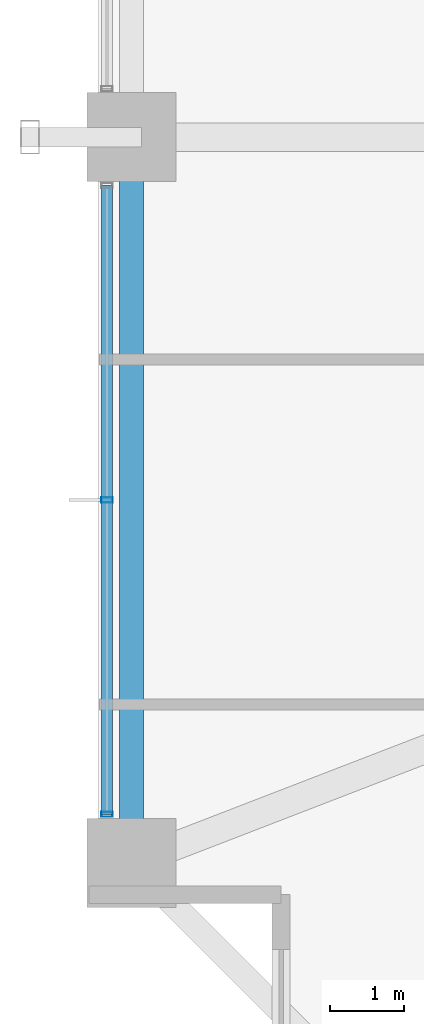
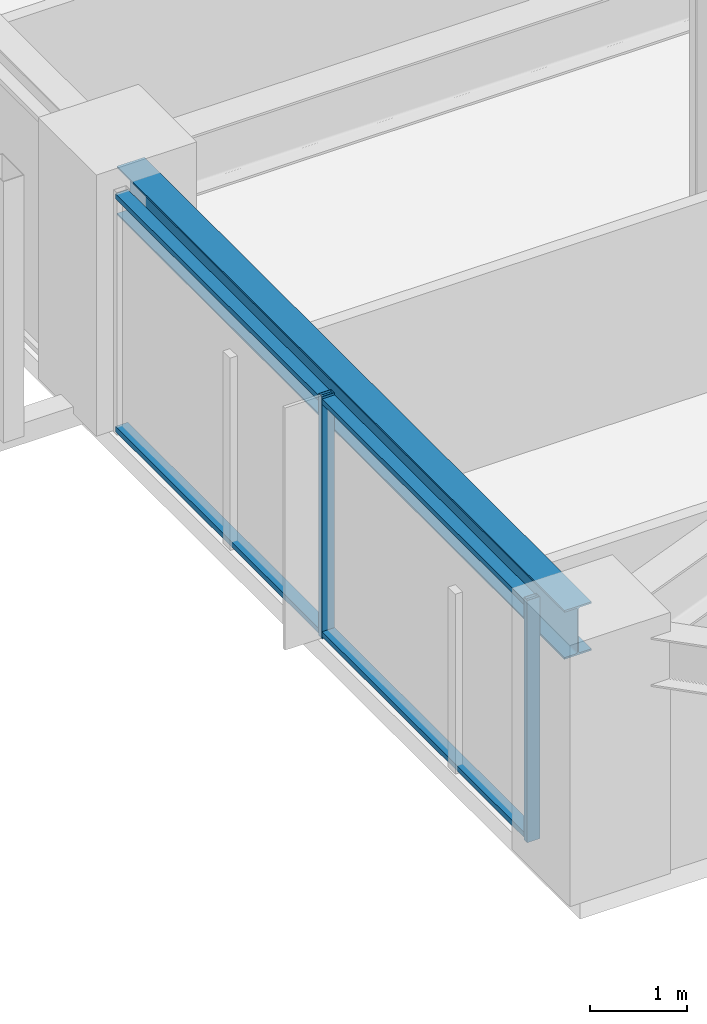
# One storey, part 3 of 38: 4 members, 1 beam, 1 element without a shape of its own.
"""IFC4 building model written with IfcOpenShell, lengths in metres."""

from ifc_helpers import new_model, si_unit, direction, frame, origin, origin_2d, place, context, subcontext, project, spatial, hollow_rectangle, i_section, extrude, material, material_profile, profile_set, type_object, element, aggregate, save


model = new_model("IFC4")

# Units and contexts
model_context = context("Model", 3, precision=1e-05, world=origin(), true_north=direction((0.0, 1.0)))
body_context = subcontext(model_context, "Body", "Model", "MODEL_VIEW")
ifc_project = project(units=[si_unit("LENGTHUNIT", "METRE"), si_unit("AREAUNIT", "SQUARE_METRE"), si_unit("VOLUMEUNIT", "CUBIC_METRE"), si_unit("PLANEANGLEUNIT", "RADIAN"), si_unit("MASSUNIT", "GRAM", prefix="KILO")], contexts=[model_context])

# Site, building, storey
site_placement = place(None, origin())
site = spatial("IfcSite", under=ifc_project, at=site_placement, CompositionType="ELEMENT")
building_placement = place(site_placement, origin())
building = spatial("IfcBuilding", under=site, at=building_placement, Name="Kolvaren Belvedere", CompositionType="ELEMENT")
storey_placement = place(building_placement, frame((0.0, 0.0, 50.199951171875)))
storey = spatial("IfcBuildingStorey", under=building, at=storey_placement, Name="L14", CompositionType="ELEMENT", Elevation=50.199951171875)

# Beam
ifc_material_1 = material(Name="Structural steel ASTM A992 Grade 50", Category="steel")
ifc_material_profile_1 = material_profile(ifc_material_1, i_section(OverallWidth=0.324951171875, OverallDepth=0.615966796875, WebThickness=0.013916015625, FlangeThickness=0.021484375, FilletRadius=0.02001953125, at=origin_2d()), Name="W24X117")
ifc_profile_set_1 = profile_set([ifc_material_profile_1], Name="Structural steel ASTM A992 Grade 50")
beam_type = type_object("IfcBeamType", Name="BM-SPAN-W24X117", PredefinedType="SPANDREL", material=ifc_profile_set_1)
beam_placement = place(storey_placement, frame((-21.550048828125, -4.8701171875, 2.751953125), z_axis=(0.0, -1.0, 0.0), x_axis=(1.0, 0.0, 0.0)))
element("IfcBeam", 1, at=beam_placement, inside=storey, type_object=beam_type, Name="L14 Perimeter Spandrel W2-W1", PredefinedType="SPANDREL", context=body_context, shape_type="SweptSolid", body=[
    extrude(i_section(OverallWidth=0.324951171875, OverallDepth=0.615966796875, WebThickness=0.013916015625, FlangeThickness=0.021484375, FilletRadius=0.02001953125, at=origin_2d()), origin(), (0.0, 0.0, 1.0), 9.259765625),
])

# Curtain wall, members
ifc_material_2 = material(Name="Anodised pale-metal aluminium AA 6063-T6", Category="aluminium")
curtain_wall_type = type_object("IfcCurtainWallType", Name="CW-Z1-LOW", PredefinedType="NOTDEFINED", material=ifc_material_2)
curtain_wall_placement = place(storey_placement, origin())
curtain_wall = element("IfcCurtainWall", 2, at=curtain_wall_placement, inside=storey, type_object=curtain_wall_type, Name="L14 Unitised Curtain Wall FCW-L14-W-B1", PredefinedType="NOTDEFINED")
ifc_material_3 = material(Name="Anodised pale-metal aluminium AA 6063-T6", Category="aluminium")
ifc_material_profile_2 = material_profile(ifc_material_3, hollow_rectangle(XDim=0.070068359375, YDim=0.14990234375, WallThickness=0.004150390625, at=origin_2d()), Name="ALU-MUL-150X70")
ifc_profile_set_2 = profile_set([ifc_material_profile_2], Name="Anodised pale-metal aluminium AA 6063-T6")
member_type_1 = type_object("IfcMemberType", Name="CW-MUL-150", PredefinedType="MULLION", material=ifc_profile_set_2)
member_1_placement = place(storey_placement, frame((-21.8798828125, -13.7451171875, 0.0), z_axis=(0.0, 0.0, 1.0), x_axis=(0.0, 1.0, 0.0)))
member_1 = element("IfcMember", 3, at=member_1_placement, type_object=member_type_1, Name="FCW-L14-W-B1 Unitised Mullion 1", PredefinedType="MULLION", context=body_context, shape_type="SweptSolid", body=[
    extrude(hollow_rectangle(XDim=0.070068359375, YDim=0.14990234375, WallThickness=0.004150390625, at=origin_2d()), origin(), (0.0, 0.0, 1.0), 3.06005859375),
])
member_2_placement = place(storey_placement, frame((-21.8798828125, -9.5, 0.0), z_axis=(0.0, 0.0, 1.0), x_axis=(0.0, 1.0, 0.0)))
member_2 = element("IfcMember", 4, at=member_2_placement, type_object=member_type_1, Name="FCW-L14-W-B1 Unitised Mullion 2", PredefinedType="MULLION", context=body_context, shape_type="SweptSolid", body=[
    extrude(hollow_rectangle(XDim=0.070068359375, YDim=0.14990234375, WallThickness=0.004150390625, at=origin_2d()), origin(), (0.0, 0.0, 1.0), 3.06005859375),
])
ifc_material_4 = material(Name="Anodised pale-metal aluminium AA 6063-T6", Category="aluminium")
ifc_material_profile_3 = material_profile(ifc_material_4, hollow_rectangle(XDim=0.06494140625, YDim=0.14990234375, WallThickness=0.00390625, at=origin_2d()), Name="ALU-TRN-150X65")
ifc_profile_set_3 = profile_set([ifc_material_profile_3], Name="Anodised pale-metal aluminium AA 6063-T6")
member_type_2 = type_object("IfcMemberType", Name="CW-TRN-150", PredefinedType="USERDEFINED", material=ifc_profile_set_3)
member_3_placement = place(storey_placement, frame((-21.8798828125, -13.7451171875, 0.06005859375), z_axis=(0.0, 1.0, 0.0), x_axis=(0.0, 0.0, 1.0)))
member_3 = element("IfcMember", 5, at=member_3_placement, type_object=member_type_2, Name="FCW-L14-W-B1 Sill Transom", ObjectType="TRANSOM", PredefinedType="USERDEFINED", context=body_context, shape_type="SweptSolid", body=[
    extrude(hollow_rectangle(XDim=0.06494140625, YDim=0.14990234375, WallThickness=0.00390625, at=origin_2d()), origin(), (0.0, 0.0, 1.0), 8.490234375),
])
member_4_placement = place(storey_placement, frame((-21.8798828125, -13.7451171875, 3.0), z_axis=(0.0, 1.0, 0.0), x_axis=(0.0, 0.0, 1.0)))
member_4 = element("IfcMember", 6, at=member_4_placement, type_object=member_type_2, Name="FCW-L14-W-B1 Head Transom", ObjectType="TRANSOM", PredefinedType="USERDEFINED", context=body_context, shape_type="SweptSolid", body=[
    extrude(hollow_rectangle(XDim=0.06494140625, YDim=0.14990234375, WallThickness=0.00390625, at=origin_2d()), origin(), (0.0, 0.0, 1.0), 8.490234375),
])
aggregate(curtain_wall, [member_1, member_2, member_3, member_4])

save(model, "model.ifc")
